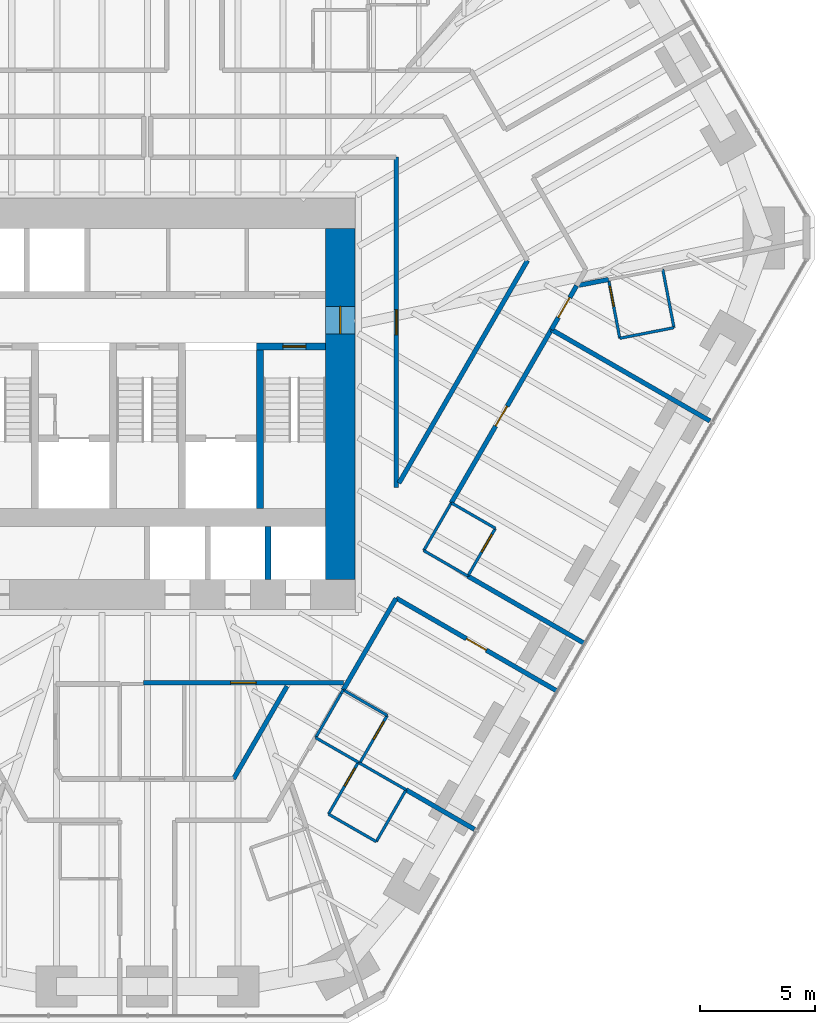
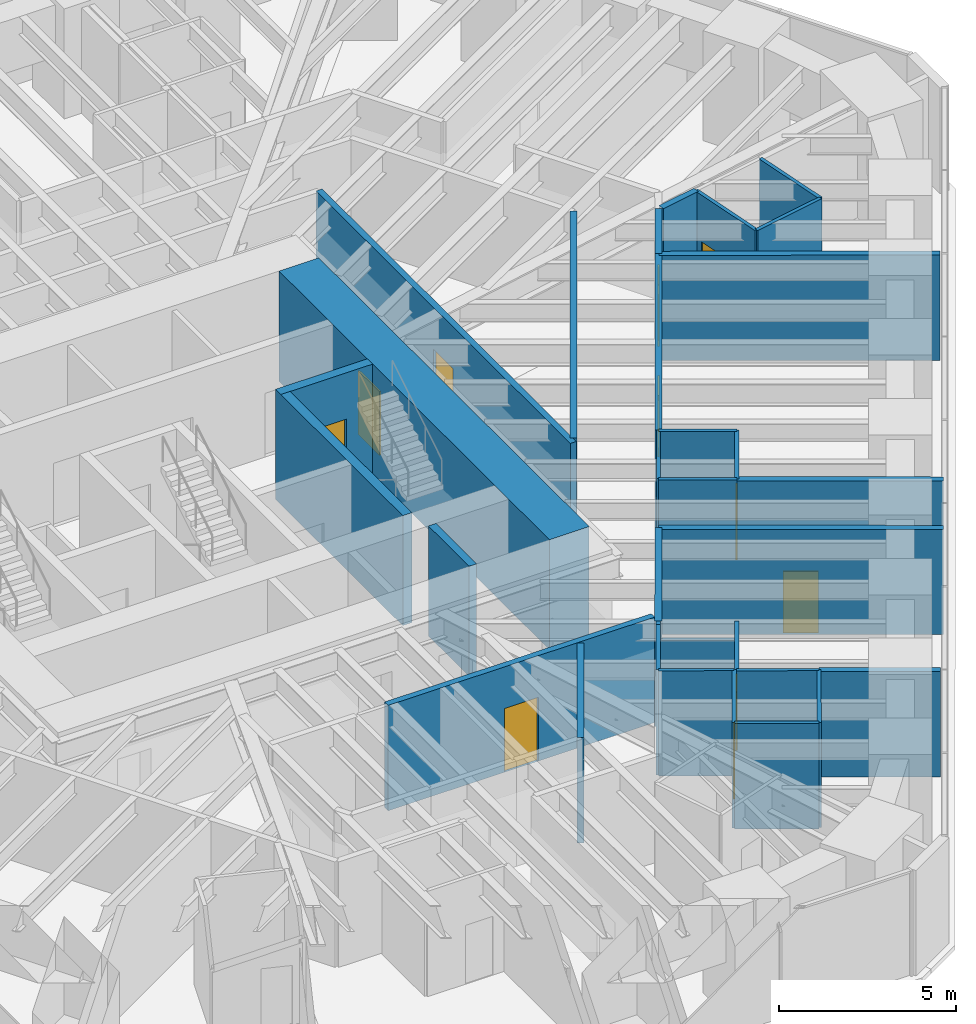
# One storey, part 13 of 16: 32 walls, 11 doors, 11 openings.
"""IFC4 building model written with IfcOpenShell, lengths in metres."""

import ifcopenshell
import ifcopenshell.guid

model = None  # the IFC model being written
_history = None  # IfcOwnerHistory: only IFC2X3 demands one
_inside = {}  # id of a spatial element -> (the spatial element, [elements in it])
_under = {}  # id of a project, library or spatial element -> (it, [spatial elements below it])
_declared = {}  # id of a project -> (the project, [libraries it declares])
_typed = {}  # id of a type object -> (the type object, [elements of that type])
_made_of = {}  # id of a material, layer set ... -> (it, [elements and type objects made of it])


def new_model(schema):
    """Start an empty IFC model of exactly this schema.

    Asked for "IFC4X3", IfcOpenShell would pick the latest addendum, in which some entities
    have other attributes; the version numbers below select the first issue.
    IFC2X3 requires an IfcOwnerHistory on every rooted entity: one is made here for all.
    """
    global model, _history
    if schema == "IFC4X3":
        model = ifcopenshell.file(schema_version=(4, 3, 0, 0))
    else:
        model = ifcopenshell.file(schema=schema)
    _inside.clear()
    _under.clear()
    _declared.clear()
    _typed.clear()
    _made_of.clear()
    _history = None
    if model.schema == "IFC2X3":
        org = make("IfcOrganization", Name="unknown")
        user = make(
            "IfcPersonAndOrganization",
            ThePerson=make("IfcPerson", FamilyName="unknown"),
            TheOrganization=org,
        )
        app = make(
            "IfcApplication",
            ApplicationDeveloper=org,
            Version="unknown",
            ApplicationFullName="unknown",
            ApplicationIdentifier="unknown",
        )
        _history = make(
            "IfcOwnerHistory",
            OwningUser=user,
            OwningApplication=app,
            ChangeAction="ADDED",
            CreationDate=0,
        )
    return model


def make(cls, **values):
    """One entity of the class cls with the attributes given. An attribute that is None is left unset."""
    return model.create_entity(
        cls, **{name: value for name, value in values.items() if value is not None}
    )


def rooted(cls, **values):
    """An entity with a GlobalId (a new one), such as an element, a storey or a relation."""
    return make(cls, GlobalId=ifcopenshell.guid.new(), OwnerHistory=_history, **values)


def si_unit(unit_type, name, prefix=None):
    """IfcSIUnit, for example si_unit("LENGTHUNIT", "METRE", prefix="MILLI")."""
    return make("IfcSIUnit", UnitType=unit_type, Prefix=prefix, Name=name)


def assignment(units):
    """IfcUnitAssignment: the units of a project."""
    return None if units is None else make("IfcUnitAssignment", Units=units)


def point(xyz):
    """IfcCartesianPoint."""
    return None if xyz is None else make("IfcCartesianPoint", Coordinates=xyz)


def direction(xyz):
    """IfcDirection."""
    return None if xyz is None else make("IfcDirection", DirectionRatios=xyz)


def frame(location, z_axis=None, x_axis=None):
    """IfcAxis2Placement3D, a coordinate frame: its origin and axes. An axis left out is left unset."""
    return make(
        "IfcAxis2Placement3D",
        Location=point(location),
        Axis=direction(z_axis),
        RefDirection=direction(x_axis),
    )


def frame_2d(location, x_axis=None):
    """IfcAxis2Placement2D, a coordinate frame in the plane: its origin and x axis."""
    return make(
        "IfcAxis2Placement2D", Location=point(location), RefDirection=direction(x_axis)
    )


def origin():
    """The frame at (0, 0, 0) with its axes left unset."""
    return frame((0.0, 0.0, 0.0))


def place(relative_to, where):
    """IfcLocalPlacement: puts the frame where relative to a parent placement (None: the world)."""
    return make(
        "IfcLocalPlacement", PlacementRelTo=relative_to, RelativePlacement=where
    )


def context(
    kind, dimensions, precision=None, world=None, true_north=None, identifier=None
):
    """IfcGeometricRepresentationContext, for example the 3D "Model" context."""
    return make(
        "IfcGeometricRepresentationContext",
        ContextIdentifier=identifier,
        ContextType=kind,
        CoordinateSpaceDimension=dimensions,
        Precision=precision,
        WorldCoordinateSystem=world,
        TrueNorth=true_north,
    )


def subcontext(parent, identifier, kind, view, scale=None):
    """IfcGeometricRepresentationSubContext, for example "Body" below "Model"."""
    return make(
        "IfcGeometricRepresentationSubContext",
        ContextIdentifier=identifier,
        ContextType=kind,
        ParentContext=parent,
        TargetScale=scale,
        TargetView=view,
    )


def project(units=None, contexts=None):
    """IfcProject with its units and contexts."""
    return rooted(
        "IfcProject",
        Name="project",
        RepresentationContexts=contexts,
        UnitsInContext=assignment(units),
    )


def spatial(cls, under=None, at=None, **own):
    """A site, building, storey or space (cls), placed at a placement, below another one or the project."""
    s = rooted(cls, ObjectPlacement=at, **own)
    if under is not None:
        _under.setdefault(under.id(), (under, []))[1].append(s)
    return s


def profile(cls, at=None, kind="AREA", **sizes):
    """A parametric profile (cls). Its sizes go by their IFC names, for example OverallWidth=200.0."""
    return make(cls, ProfileType=kind, Position=at, **sizes)


def rectangle(**sizes):
    """IfcRectangleProfileDef."""
    return profile("IfcRectangleProfileDef", **sizes)


def extrude(swept, where, along, depth):
    """IfcExtrudedAreaSolid: the profile swept, set in the frame where, extruded along a direction by depth."""
    return make(
        "IfcExtrudedAreaSolid",
        SweptArea=swept,
        Position=where,
        ExtrudedDirection=direction(along),
        Depth=depth,
    )


def shape(context_of_items, identifier, shape_type, items):
    """IfcShapeRepresentation: the items that make up one representation, for example the "Body"."""
    return make(
        "IfcShapeRepresentation",
        ContextOfItems=context_of_items,
        RepresentationIdentifier=identifier,
        RepresentationType=shape_type,
        Items=items,
    )


def material(Name=None, Category=None):
    """IfcMaterial."""
    return make("IfcMaterial", Name=Name, Category=Category)


def layer(
    of_material, thickness, ventilated=None, Name=None, Category=None, Priority=None
):
    """IfcMaterialLayer: one layer of a wall or slab, of a material (None: an air gap)."""
    return make(
        "IfcMaterialLayer",
        Material=of_material,
        LayerThickness=thickness,
        IsVentilated=ventilated,
        Name=Name,
        Category=Category,
        Priority=Priority,
    )


def layer_set(layers, Name=None):
    """IfcMaterialLayerSet."""
    return make("IfcMaterialLayerSet", MaterialLayers=layers, LayerSetName=Name)


def made_of(thing, what):
    """Note that an element or type object is made of a material, layer set ...; save() writes the relation."""
    if what is not None:
        _made_of.setdefault(what.id(), (what, []))[1].append(thing)
    return thing


def type_object(cls, material=None, **own):
    """A type object (cls), such as IfcWallType, which elements share."""
    return made_of(rooted(cls, **own), material)


def element(
    cls,
    number,
    at=None,
    inside=None,
    cuts=None,
    type_object=None,
    material=None,
    context=None,
    identifier="Body",
    shape_type=None,
    held_by="IfcProductDefinitionShape",
    body=None,
    shapes=None,
    **own,
):
    """One element of the class cls, such as IfcWall. Its Tag is "e" and its number.

    at: its placement. inside: the storey or other place that contains it. cuts: it is an
    opening in that element (IfcRelVoidsElement). A single representation is given by context,
    identifier, shape_type and body (its items); several are given by shapes. held_by: the class
    of the entity that holds the representations. save() writes the other relations.
    """
    e = rooted(cls, Tag="e%d" % number, ObjectPlacement=at, **own)
    if body is not None:
        shapes = [shape(context, identifier, shape_type, body)]
    if shapes is not None:
        e.Representation = make(held_by, Representations=shapes)
    if inside is not None:
        _inside.setdefault(inside.id(), (inside, []))[1].append(e)
    if cuts is not None:
        rooted(
            "IfcRelVoidsElement", RelatingBuildingElement=cuts, RelatedOpeningElement=e
        )
    if type_object is not None:
        _typed.setdefault(type_object.id(), (type_object, []))[1].append(e)
    return made_of(e, material)


def fill(opening, filler):
    """IfcRelFillsElement: the door or window that sits in an opening."""
    return rooted(
        "IfcRelFillsElement",
        RelatingOpeningElement=opening,
        RelatedBuildingElement=filler,
    )


def aggregate(whole, parts):
    """IfcRelAggregates: a whole, such as a stair, and the parts it consists of."""
    return rooted("IfcRelAggregates", RelatingObject=whole, RelatedObjects=parts)


def save(model, path):
    """Write the relations noted so far, then the file.

    IfcRelAggregates (storeys below a building ...), IfcRelContainedInSpatialStructure (elements
    in a storey), IfcRelDefinesByType, IfcRelAssociatesMaterial and IfcRelDeclares: one each for
    every whole, place, type object, material and project.
    """
    for whole, parts in _under.values():
        aggregate(whole, parts)
    for where, things in _inside.values():
        rooted(
            "IfcRelContainedInSpatialStructure",
            RelatedElements=things,
            RelatingStructure=where,
        )
    for kind, things in _typed.values():
        rooted("IfcRelDefinesByType", RelatedObjects=things, RelatingType=kind)
    for what, things in _made_of.values():
        rooted("IfcRelAssociatesMaterial", RelatedObjects=things, RelatingMaterial=what)
    for by, libraries in _declared.values():
        rooted("IfcRelDeclares", RelatingContext=by, RelatedDefinitions=libraries)
    model.write(path)


model = new_model("IFC4")

# Units and contexts
model_context = context("Model", 3, precision=1e-05, world=origin(), true_north=direction((0.0, 1.0)))
body_context = subcontext(model_context, "Body", "Model", "MODEL_VIEW")
ifc_project = project(units=[si_unit("LENGTHUNIT", "METRE"), si_unit("AREAUNIT", "SQUARE_METRE"), si_unit("VOLUMEUNIT", "CUBIC_METRE"), si_unit("PLANEANGLEUNIT", "RADIAN"), si_unit("MASSUNIT", "GRAM", prefix="KILO")], contexts=[model_context])

# Site, building, storey
site_placement = place(None, origin())
site = spatial("IfcSite", under=ifc_project, at=site_placement, CompositionType="ELEMENT")
building_placement = place(site_placement, origin())
building = spatial("IfcBuilding", under=site, at=building_placement, Name="Sandreach Pilgrim Tower", CompositionType="ELEMENT")
storey_placement = place(building_placement, frame((0.0, 0.0, 134.800048828125)))
storey = spatial("IfcBuildingStorey", under=building, at=storey_placement, Name="L33", CompositionType="ELEMENT", Elevation=134.800048828125)

# Walls
ifc_material_1 = material(Name="Moisture-resistant gypsum board on steel studs", Category="steel")
ifc_layer_1 = layer(ifc_material_1, 0.1201171875)
ifc_layer_set_1 = layer_set([ifc_layer_1], Name="Bathroom partition 120")
wall_type_1 = type_object("IfcWallType", Name="Bathroom partition 120", PredefinedType="PARTITIONING", material=ifc_layer_set_1)
wall_1_placement = place(storey_placement, frame((7.330078125, -16.090087890625, 0.0), z_axis=(0.0, 0.0, 1.0), x_axis=(0.498475244549, 0.866903933877, 0.0)))
element("IfcWall", 1, at=wall_1_placement, inside=storey, type_object=wall_type_1, Name="Bathroom partition L33-088", PredefinedType="PARTITIONING", context=body_context, shape_type="SweptSolid", body=[
    extrude(rectangle(XDim=2.2265625, YDim=0.1201171875, at=frame_2d((1.11328125, 0.0))), origin(), (0.0, 0.0, 1.0), 3.639892578125),
])
wall_2_placement = place(storey_placement, frame((7.330078125, -16.090087890625, 0.0), z_axis=(0.0, 0.0, 1.0), x_axis=(0.866825160608, -0.498612214989, 0.0)))
element("IfcWall", 2, at=wall_2_placement, inside=storey, type_object=wall_type_1, Name="Bathroom partition L33-089", PredefinedType="PARTITIONING", context=body_context, shape_type="SweptSolid", body=[
    extrude(rectangle(XDim=2.1455078125, YDim=0.1201171875, at=frame_2d((1.07275390625, 0.0))), origin(), (0.0, 0.0, 1.0), 3.639892578125),
])
wall_3_placement = place(storey_placement, frame((7.889892578125, -19.419921875, 0.0), z_axis=(0.0, 0.0, 1.0), x_axis=(0.866202511239, -0.499693115345, 0.0)))
element("IfcWall", 3, at=wall_3_placement, inside=storey, type_object=wall_type_1, Name="Bathroom partition L33-091", PredefinedType="PARTITIONING", context=body_context, shape_type="SweptSolid", body=[
    extrude(rectangle(XDim=2.4013671875, YDim=0.1201171875, at=frame_2d((1.20068359375, 0.0))), origin(), (0.0, 0.0, 1.0), 3.639892578125),
])
wall_4_placement = place(storey_placement, frame((8.43994140625, -14.159912109375, 0.0), z_axis=(0.0, 0.0, 1.0), x_axis=(0.515111490125, 0.857123184111, 0.0)))
element("IfcWall", 4, at=wall_4_placement, inside=storey, type_object=wall_type_1, Name="Bathroom partition L33-092", PredefinedType="PARTITIONING", context=body_context, shape_type="SweptSolid", body=[
    extrude(rectangle(XDim=0.1748046875, YDim=0.1201171875, at=frame_2d((0.08740234375, 0.0))), origin(), (0.0, 0.0, 1.0), 3.639892578125),
])

# Wall, opening, door
wall_5_placement = place(storey_placement, frame((9.18994140625, -17.159912109375, 0.0), z_axis=(0.0, 0.0, 1.0), x_axis=(-0.498627694264, -0.866816256489, 0.0)))
wall_5 = element("IfcWall", 5, at=wall_5_placement, inside=storey, type_object=wall_type_1, Name="Bathroom partition L33-095", PredefinedType="PARTITIONING", context=body_context, shape_type="SweptSolid", body=[
    extrude(rectangle(XDim=2.607177734375, YDim=0.1201171875, at=frame_2d((1.3037109375, 0.0))), origin(), (0.0, 0.0, 1.0), 3.639892578125),
])
opening_1_placement = place(wall_5_placement, frame((0.300048828125, 0.0, 0.0)))
opening_1 = element("IfcOpeningElement", 6, at=opening_1_placement, cuts=wall_5, Name="Opening D09-09B", PredefinedType="OPENING", context=body_context, shape_type="SweptSolid", body=[
    extrude(rectangle(XDim=0.89990234375, YDim=2.030029296875, at=frame_2d((0.449951171875, 1.01513671875))), frame((0.0, 0.06005859375, 0.0), z_axis=(0.0, -1.0, 0.0), x_axis=(1.0, 0.0, 0.0)), (0.0, 0.0, 1.0), 0.1201171875),
])
ifc_material_2 = material(Name="Timber door, steel frame", Category="steel")
door_type_1 = type_object("IfcDoorType", Name="Bathroom door", OperationType="SINGLE_SWING_LEFT", PredefinedType="DOOR", material=ifc_material_2)
door_1_placement = place(opening_1_placement, origin())
door_1 = element("IfcDoor", 7, at=door_1_placement, inside=storey, type_object=door_type_1, Name="Door 3309B", OperationType="SINGLE_SWING_LEFT", OverallHeight=2.030029296875, OverallWidth=0.89990234375, PredefinedType="DOOR", context=body_context, shape_type="SweptSolid", body=[
    extrude(rectangle(XDim=0.89990234375, YDim=2.030029296875, at=frame_2d((0.449951171875, 1.01513671875))), frame((0.0, 0.02490234375, 0.0), z_axis=(0.0, -1.0, 0.0), x_axis=(1.0, 0.0, 0.0)), (0.0, 0.0, 1.0), 0.050048828125),
])
fill(opening_1, door_1)

wall_6_placement = place(storey_placement, frame((9.25, -17.199951171875, 0.0), z_axis=(0.0, 0.0, 1.0), x_axis=(0.499737123639, 0.866177122335, 0.0)))
wall_6 = element("IfcWall", 8, at=wall_6_placement, inside=storey, type_object=wall_type_1, Name="Bathroom partition L33-096", PredefinedType="PARTITIONING", context=body_context, shape_type="SweptSolid", body=[
    extrude(rectangle(XDim=2.401123046875, YDim=0.1201171875, at=frame_2d((1.20068359375, 0.0))), origin(), (0.0, 0.0, 1.0), 3.639892578125),
])
opening_2_placement = place(wall_6_placement, frame((1.201416015625, 0.0, 0.0)))
opening_2 = element("IfcOpeningElement", 9, at=opening_2_placement, cuts=wall_6, Name="Opening D09-08B", PredefinedType="OPENING", context=body_context, shape_type="SweptSolid", body=[
    extrude(rectangle(XDim=0.89990234375, YDim=2.030029296875, at=frame_2d((0.449951171875, 1.01513671875))), frame((0.0, 0.06005859375, 0.0), z_axis=(0.0, -1.0, 0.0), x_axis=(1.0, 0.0, 0.0)), (0.0, 0.0, 1.0), 0.1201171875),
])
door_2_placement = place(opening_2_placement, origin())
door_2 = element("IfcDoor", 10, at=door_2_placement, inside=storey, type_object=door_type_1, Name="Door 3308B", OperationType="SINGLE_SWING_RIGHT", OverallHeight=2.030029296875, OverallWidth=0.89990234375, PredefinedType="DOOR", context=body_context, shape_type="SweptSolid", body=[
    extrude(rectangle(XDim=0.89990234375, YDim=2.030029296875, at=frame_2d((0.449951171875, 1.01513671875))), frame((0.0, 0.02490234375, 0.0), z_axis=(0.0, -1.0, 0.0), x_axis=(1.0, 0.0, 0.0)), (0.0, 0.0, 1.0), 0.050048828125),
])
fill(opening_2, door_2)

# Walls
wall_7_placement = place(storey_placement, frame((9.25, -17.199951171875, 0.0), z_axis=(0.0, 0.0, 1.0), x_axis=(0.867157547908, -0.498033921641, 0.0)))
element("IfcWall", 11, at=wall_7_placement, inside=storey, type_object=wall_type_1, Name="Bathroom partition L33-097", PredefinedType="PARTITIONING", context=body_context, shape_type="SweptSolid", body=[
    extrude(rectangle(XDim=2.32958984375, YDim=0.1201171875, at=frame_2d((1.164794921875, 0.0))), origin(), (0.0, 0.0, 1.0), 3.639892578125),
])
wall_8_placement = place(storey_placement, frame((9.969970703125, -20.6201171875, 0.0), z_axis=(0.0, 0.0, 1.0), x_axis=(0.498627694264, 0.866816256489, 0.0)))
element("IfcWall", 12, at=wall_8_placement, inside=storey, type_object=wall_type_1, Name="Bathroom partition L33-105", PredefinedType="PARTITIONING", context=body_context, shape_type="SweptSolid", body=[
    extrude(rectangle(XDim=2.607177734375, YDim=0.1201171875, at=frame_2d((1.3037109375, 0.0))), origin(), (0.0, 0.0, 1.0), 3.639892578125),
])
wall_9_placement = place(storey_placement, frame((10.449951171875, -15.1201171875, 0.0), z_axis=(0.0, 0.0, 1.0), x_axis=(-0.865705017107, 0.500554515868, 0.0)))
element("IfcWall", 13, at=wall_9_placement, inside=storey, type_object=wall_type_1, Name="Bathroom partition L33-106", PredefinedType="PARTITIONING", context=body_context, shape_type="SweptSolid", body=[
    extrude(rectangle(XDim=2.2177734375, YDim=0.1201171875, at=frame_2d((1.10888671875, 0.0))), origin(), (0.0, 0.0, 1.0), 3.022705078125),
])
wall_10_placement = place(storey_placement, frame((12.0400390625, -7.93994140625, 0.0), z_axis=(0.0, 0.0, 1.0), x_axis=(0.499737123639, 0.866177122335, 0.0)))
element("IfcWall", 14, at=wall_10_placement, inside=storey, type_object=wall_type_1, Name="Bathroom partition L33-112", PredefinedType="PARTITIONING", context=body_context, shape_type="SweptSolid", body=[
    extrude(rectangle(XDim=2.401123046875, YDim=0.1201171875, at=frame_2d((1.20068359375, 0.0))), origin(), (0.0, 0.0, 1.0), 3.639892578125),
])
wall_11_placement = place(storey_placement, frame((12.0400390625, -7.93994140625, 0.0), z_axis=(0.0, 0.0, 1.0), x_axis=(0.865705017107, -0.500554515868, 0.0)))
element("IfcWall", 15, at=wall_11_placement, inside=storey, type_object=wall_type_1, Name="Bathroom partition L33-113", PredefinedType="PARTITIONING", context=body_context, shape_type="SweptSolid", body=[
    extrude(rectangle(XDim=2.2177734375, YDim=0.1201171875, at=frame_2d((1.10888671875, 0.0))), origin(), (0.0, 0.0, 1.0), 3.639892578125),
])

# Wall, opening, door
wall_12_placement = place(storey_placement, frame((13.9599609375, -9.050048828125, 0.0), z_axis=(0.0, 0.0, 1.0), x_axis=(0.499693115345, 0.866202511239, 0.0)))
wall_12 = element("IfcWall", 16, at=wall_12_placement, inside=storey, type_object=wall_type_1, Name="Bathroom partition L33-118", PredefinedType="PARTITIONING", context=body_context, shape_type="SweptSolid", body=[
    extrude(rectangle(XDim=2.4013671875, YDim=0.1201171875, at=frame_2d((1.20068359375, 0.0))), origin(), (0.0, 0.0, 1.0), 3.639892578125),
])
opening_3_placement = place(wall_12_placement, frame((1.201416015625, 0.0, 0.0)))
opening_3 = element("IfcOpeningElement", 17, at=opening_3_placement, cuts=wall_12, Name="Opening D09-07B", PredefinedType="OPENING", context=body_context, shape_type="SweptSolid", body=[
    extrude(rectangle(XDim=0.89990234375, YDim=2.030029296875, at=frame_2d((0.449951171875, 1.01513671875))), frame((0.0, 0.06005859375, 0.0), z_axis=(0.0, -1.0, 0.0), x_axis=(1.0, 0.0, 0.0)), (0.0, 0.0, 1.0), 0.1201171875),
])
door_3_placement = place(opening_3_placement, origin())
door_3 = element("IfcDoor", 18, at=door_3_placement, inside=storey, type_object=door_type_1, Name="Door 3307B", OperationType="SINGLE_SWING_RIGHT", OverallHeight=2.030029296875, OverallWidth=0.89990234375, PredefinedType="DOOR", context=body_context, shape_type="SweptSolid", body=[
    extrude(rectangle(XDim=0.89990234375, YDim=2.030029296875, at=frame_2d((0.449951171875, 1.01513671875))), frame((0.0, 0.02490234375, 0.0), z_axis=(0.0, -1.0, 0.0), x_axis=(1.0, 0.0, 0.0)), (0.0, 0.0, 1.0), 0.050048828125),
])
fill(opening_3, door_3)

# Wall
wall_13_placement = place(storey_placement, frame((15.159912109375, -6.969970703125, 0.0), z_axis=(0.0, 0.0, 1.0), x_axis=(-0.865705017107, 0.500554515868, 0.0)))
element("IfcWall", 19, at=wall_13_placement, inside=storey, type_object=wall_type_1, Name="Bathroom partition L33-121", PredefinedType="PARTITIONING", context=body_context, shape_type="SweptSolid", body=[
    extrude(rectangle(XDim=2.2177734375, YDim=0.1201171875, at=frame_2d((1.10888671875, 0.0))), origin(), (0.0, 0.0, 1.0), 3.639892578125),
])

# Wall, opening, door
wall_14_placement = place(storey_placement, frame((20.090087890625, 3.8701171875, 0.0), z_axis=(0.0, 0.0, 1.0), x_axis=(0.187985762814, -0.982171753299, 0.0)))
wall_14 = element("IfcWall", 20, at=wall_14_placement, inside=storey, type_object=wall_type_1, Name="Bathroom partition L33-130", PredefinedType="PARTITIONING", context=body_context, shape_type="SweptSolid", body=[
    extrude(rectangle(XDim=2.6064453125, YDim=0.1201171875, at=frame_2d((1.30322265625, 0.0))), origin(), (0.0, 0.0, 1.0), 3.639892578125),
])
opening_4_placement = place(wall_14_placement, frame((0.300048828125, 0.0, 0.0)))
opening_4 = element("IfcOpeningElement", 21, at=opening_4_placement, cuts=wall_14, Name="Opening D09-06B", PredefinedType="OPENING", context=body_context, shape_type="SweptSolid", body=[
    extrude(rectangle(XDim=0.89990234375, YDim=2.030029296875, at=frame_2d((0.449951171875, 1.01513671875))), frame((0.0, 0.06005859375, 0.0), z_axis=(0.0, -1.0, 0.0), x_axis=(1.0, 0.0, 0.0)), (0.0, 0.0, 1.0), 0.1201171875),
])
door_4_placement = place(opening_4_placement, origin())
door_4 = element("IfcDoor", 22, at=door_4_placement, inside=storey, type_object=door_type_1, Name="Door 3306B", OperationType="SINGLE_SWING_LEFT", OverallHeight=2.030029296875, OverallWidth=0.89990234375, PredefinedType="DOOR", context=body_context, shape_type="SweptSolid", body=[
    extrude(rectangle(XDim=0.89990234375, YDim=2.030029296875, at=frame_2d((0.449951171875, 1.01513671875))), frame((0.0, 0.02490234375, 0.0), z_axis=(0.0, -1.0, 0.0), x_axis=(1.0, 0.0, 0.0)), (0.0, 0.0, 1.0), 0.050048828125),
])
fill(opening_4, door_4)

# Walls
wall_15_placement = place(storey_placement, frame((20.580078125, 1.31005859375, 0.0), z_axis=(0.0, 0.0, 1.0), x_axis=(0.981529676402, 0.191309943135, 0.0)))
element("IfcWall", 23, at=wall_15_placement, inside=storey, type_object=wall_type_1, Name="Bathroom partition L33-132", PredefinedType="PARTITIONING", context=body_context, shape_type="SweptSolid", body=[
    extrude(rectangle(XDim=2.404296875, YDim=0.1201171875, at=frame_2d((1.2021484375, 0.0))), origin(), (0.0, 0.0, 1.0), 3.639892578125),
])
wall_16_placement = place(storey_placement, frame((22.93994140625, 1.77001953125, 0.0), z_axis=(0.0, 0.0, 1.0), x_axis=(-0.188697442844, 0.982035271802, 0.0)))
element("IfcWall", 24, at=wall_16_placement, inside=storey, type_object=wall_type_1, Name="Bathroom partition L33-134", PredefinedType="PARTITIONING", context=body_context, shape_type="SweptSolid", body=[
    extrude(rectangle(XDim=2.5966796875, YDim=0.1201171875, at=frame_2d((1.29833984375, 0.0))), origin(), (0.0, 0.0, 1.0), 3.639892578125),
])
ifc_material_3 = material(Name="Concrete 10000 psi", Category="concrete")
ifc_layer_2 = layer(ifc_material_3, 0.300048828125)
ifc_layer_set_2 = layer_set([ifc_layer_2], Name="Core inner wall 300")
wall_type_2 = type_object("IfcWallType", Name="Core inner wall 300", PredefinedType="SHEAR", material=ifc_layer_set_2)
wall_17_placement = place(storey_placement, frame((4.89990234375, -6.10009765625, 0.0), z_axis=(0.0, 0.0, 1.0), x_axis=(0.0, 1.0, 0.0)))
element("IfcWall", 25, at=wall_17_placement, inside=storey, type_object=wall_type_2, Name="Core wall I3 L33", PredefinedType="SHEAR", context=body_context, shape_type="SweptSolid", body=[
    extrude(rectangle(XDim=7.2001953125, YDim=0.300048828125, at=frame_2d((3.60009765625, 0.0))), origin(), (0.0, 0.0, 1.0), 3.800048828125),
])

# Wall, opening, door
wall_18_placement = place(storey_placement, frame((4.75, 0.949951171875, 0.0), z_axis=(0.0, 0.0, 1.0), x_axis=(1.0, 0.0, 0.0)))
wall_18 = element("IfcWall", 26, at=wall_18_placement, inside=storey, type_object=wall_type_2, Name="Core wall SN2 L33", PredefinedType="SHEAR", context=body_context, shape_type="SweptSolid", body=[
    extrude(rectangle(XDim=3.0, YDim=0.300048828125, at=frame_2d((1.5, 0.0))), origin(), (0.0, 0.0, 1.0), 3.800048828125),
])
opening_5_placement = place(wall_18_placement, frame((1.14990234375, 0.0, 0.0)))
opening_5 = element("IfcOpeningElement", 27, at=opening_5_placement, cuts=wall_18, Name="Opening D10S-ST2", PredefinedType="OPENING", context=body_context, shape_type="SweptSolid", body=[
    extrude(rectangle(XDim=1.0, YDim=2.199951171875, at=frame_2d((0.5, 1.10009765625))), frame((0.0, 0.14990234375, 0.0), z_axis=(0.0, -1.0, 0.0), x_axis=(1.0, 0.0, 0.0)), (0.0, 0.0, 1.0), 0.300048828125),
])
ifc_material_4 = material(Name="Steel door and frame", Category="steel")
door_type_2 = type_object("IfcDoorType", Name="Stair door", OperationType="SINGLE_SWING_LEFT", PredefinedType="DOOR", material=ifc_material_4)
door_5_placement = place(opening_5_placement, origin())
door_5 = element("IfcDoor", 28, at=door_5_placement, inside=storey, type_object=door_type_2, Name="Stair door ST2 L33", OperationType="SINGLE_SWING_RIGHT", OverallHeight=2.199951171875, OverallWidth=1.0, PredefinedType="DOOR", context=body_context, shape_type="SweptSolid", body=[
    extrude(rectangle(XDim=1.0, YDim=2.199951171875, at=frame_2d((0.5, 1.10009765625))), frame((0.0, 0.02490234375, 0.0), z_axis=(0.0, -1.0, 0.0), x_axis=(1.0, 0.0, 0.0)), (0.0, 0.0, 1.0), 0.050048828125),
])
fill(opening_5, door_5)

ifc_material_5 = material(Name="Concrete 10000 psi", Category="concrete")
ifc_layer_3 = layer(ifc_material_5, 1.300048828125)
ifc_layer_set_3 = layer_set([ifc_layer_3], Name="Core wall 1300")
wall_type_3 = type_object("IfcWallType", Name="Core wall 1300", PredefinedType="SHEAR", material=ifc_layer_set_3)
wall_19_placement = place(storey_placement, frame((8.39990234375, -9.199951171875, 0.0), z_axis=(0.0, 0.0, 1.0), x_axis=(0.0, 1.0, 0.0)))
wall_19 = element("IfcWall", 29, at=wall_19_placement, inside=storey, type_object=wall_type_3, Name="Core wall E L33", PredefinedType="SHEAR", context=body_context, shape_type="SweptSolid", body=[
    extrude(rectangle(XDim=15.300048828125, YDim=1.300048828125, at=frame_2d((7.64990234375, 0.0))), origin(), (0.0, 0.0, 1.0), 3.800048828125),
])
opening_6_placement = place(wall_19_placement, frame((10.699951171875, 0.0, 0.0)))
opening_6 = element("IfcOpeningElement", 30, at=opening_6_placement, cuts=wall_19, Name="Opening D12F-E", PredefinedType="OPENING", context=body_context, shape_type="SweptSolid", body=[
    extrude(rectangle(XDim=1.199951171875, YDim=2.199951171875, at=frame_2d((0.60009765625, 1.10009765625))), frame((0.0, 0.64990234375, 0.0), z_axis=(0.0, -1.0, 0.0), x_axis=(1.0, 0.0, 0.0)), (0.0, 0.0, 1.0), 1.300048828125),
])
ifc_material_6 = material(Name="Steel door and frame", Category="steel")
door_type_3 = type_object("IfcDoorType", Name="Fire lobby door", OperationType="SINGLE_SWING_LEFT", PredefinedType="DOOR", material=ifc_material_6)
door_6_placement = place(opening_6_placement, origin())
door_6 = element("IfcDoor", 31, at=door_6_placement, inside=storey, type_object=door_type_3, Name="Fire service lobby door E L33", OperationType="SINGLE_SWING_RIGHT", OverallHeight=2.199951171875, OverallWidth=1.199951171875, PredefinedType="DOOR", context=body_context, shape_type="SweptSolid", body=[
    extrude(rectangle(XDim=1.199951171875, YDim=2.199951171875, at=frame_2d((0.60009765625, 1.10009765625))), frame((0.0, 0.02490234375, 0.0), z_axis=(0.0, -1.0, 0.0), x_axis=(1.0, 0.0, 0.0)), (0.0, 0.0, 1.0), 0.050048828125),
])
fill(opening_6, door_6)

# Walls
ifc_material_7 = material(Name="Gypsum board on steel studs, two layers each side", Category="steel")
ifc_layer_4 = layer(ifc_material_7, 0.199951171875)
ifc_layer_set_4 = layer_set([ifc_layer_4], Name="Corridor wall 200")
wall_type_4 = type_object("IfcWallType", Name="Corridor wall 200", PredefinedType="PARTITIONING", material=ifc_layer_set_4)
wall_20_placement = place(storey_placement, frame((6.08251953125, -13.849609375, 0.0), z_axis=(0.0, 0.0, 1.0), x_axis=(-0.499977643516, -0.866038310922, 0.0)))
element("IfcWall", 32, at=wall_20_placement, inside=storey, type_object=wall_type_4, Name="Corridor wall L33-081", PredefinedType="PARTITIONING", context=body_context, shape_type="SweptSolid", body=[
    extrude(rectangle(XDim=4.665283203125, YDim=0.199951171875, at=frame_2d((2.33251953125, 0.0))), origin(), (0.0, 0.0, 1.0), 3.639892578125),
])
wall_21_placement = place(storey_placement, frame((8.530029296875, -14.010009765625, 0.0), z_axis=(0.0, 0.0, 1.0), x_axis=(0.500091179446, 0.865972754907, 0.0)))
element("IfcWall", 33, at=wall_21_placement, inside=storey, type_object=wall_type_4, Name="Corridor wall L33-093", PredefinedType="PARTITIONING", context=body_context, shape_type="SweptSolid", body=[
    extrude(rectangle(XDim=4.604248046875, YDim=0.199951171875, at=frame_2d((2.30224609375, 0.0))), origin(), (0.0, 0.0, 1.0), 3.639892578125),
])

# Wall, opening, door
wall_22_placement = place(storey_placement, frame((8.53369140625, -13.699951171875, 0.0), z_axis=(0.0, 0.0, 1.0), x_axis=(-1.0, 0.0, 0.0)))
wall_22 = element("IfcWall", 34, at=wall_22_placement, inside=storey, type_object=wall_type_4, Name="Corridor wall L33-094", PredefinedType="PARTITIONING", context=body_context, shape_type="SweptSolid", body=[
    extrude(rectangle(XDim=8.70361328125, YDim=0.199951171875, at=frame_2d((4.351806640625, 0.0))), origin(), (0.0, 0.0, 1.0), 3.639892578125),
])
opening_7_placement = place(wall_22_placement, frame((3.8017578125, 0.0, 0.0)))
opening_7 = element("IfcOpeningElement", 35, at=opening_7_placement, cuts=wall_22, Name="Opening D11H-S4", PredefinedType="OPENING", context=body_context, shape_type="SweptSolid", body=[
    extrude(rectangle(XDim=1.10009765625, YDim=2.199951171875, at=frame_2d((0.550048828125, 1.10009765625))), frame((0.0, 0.10009765625, 0.0), z_axis=(0.0, -1.0, 0.0), x_axis=(1.0, 0.0, 0.0)), (0.0, 0.0, 1.0), 0.199951171875),
])
ifc_material_8 = material(Name="Steel door and frame", Category="steel")
door_type_4 = type_object("IfcDoorType", Name="Back of house door", OperationType="SINGLE_SWING_LEFT", PredefinedType="DOOR", material=ifc_material_8)
door_7_placement = place(opening_7_placement, origin())
door_7 = element("IfcDoor", 36, at=door_7_placement, inside=storey, type_object=door_type_4, Name="Door 33S4", OperationType="SINGLE_SWING_LEFT", OverallHeight=2.199951171875, OverallWidth=1.10009765625, PredefinedType="DOOR", context=body_context, shape_type="SweptSolid", body=[
    extrude(rectangle(XDim=1.10009765625, YDim=2.199951171875, at=frame_2d((0.550048828125, 1.10009765625))), frame((0.0, 0.02490234375, 0.0), z_axis=(0.0, -1.0, 0.0), x_axis=(1.0, 0.0, 0.0)), (0.0, 0.0, 1.0), 0.050048828125),
])
fill(opening_7, door_7)

wall_23_placement = place(storey_placement, frame((10.840087890625, -10.010009765625, 0.0), z_axis=(0.0, 0.0, 1.0), x_axis=(0.86587701925, -0.500256921525, 0.0)))
wall_23 = element("IfcWall", 37, at=wall_23_placement, inside=storey, type_object=wall_type_4, Name="Corridor wall L33-107", PredefinedType="PARTITIONING", context=body_context, shape_type="SweptSolid", body=[
    extrude(rectangle(XDim=8.065673828125, YDim=0.199951171875, at=frame_2d((4.03271484375, 0.0))), origin(), (0.0, 0.0, 1.0), 3.639892578125),
])
opening_8_placement = place(wall_23_placement, frame((3.532958984375, 0.0, 0.0)))
opening_8 = element("IfcOpeningElement", 38, at=opening_8_placement, cuts=wall_23, Name="Opening D10-08", PredefinedType="OPENING", context=body_context, shape_type="SweptSolid", body=[
    extrude(rectangle(XDim=1.0, YDim=2.1298828125, at=frame_2d((0.5, 1.06494140625))), frame((0.0, 0.10009765625, 0.0), z_axis=(0.0, -1.0, 0.0), x_axis=(1.0, 0.0, 0.0)), (0.0, 0.0, 1.0), 0.199951171875),
])
ifc_material_9 = material(Name="Steel door and frame", Category="steel")
door_type_5 = type_object("IfcDoorType", Name="Guest room entry door", OperationType="SINGLE_SWING_LEFT", PredefinedType="DOOR", material=ifc_material_9)
door_8_placement = place(opening_8_placement, origin())
door_8 = element("IfcDoor", 39, at=door_8_placement, inside=storey, type_object=door_type_5, Name="Door 3308", OperationType="SINGLE_SWING_LEFT", OverallHeight=2.1298828125, OverallWidth=1.0, PredefinedType="DOOR", context=body_context, shape_type="SweptSolid", body=[
    extrude(rectangle(XDim=1.0, YDim=2.1298828125, at=frame_2d((0.5, 1.06494140625))), frame((0.0, 0.02490234375, 0.0), z_axis=(0.0, -1.0, 0.0), x_axis=(1.0, 0.0, 0.0)), (0.0, 0.0, 1.0), 0.050048828125),
])
fill(opening_8, door_8)

wall_24_placement = place(storey_placement, frame((10.85009765625, -5.18994140625, 0.0), z_axis=(0.0, 0.0, 1.0), x_axis=(0.0, 1.0, 0.0)))
wall_24 = element("IfcWall", 40, at=wall_24_placement, inside=storey, type_object=wall_type_4, Name="Corridor wall L33-109", PredefinedType="PARTITIONING", context=body_context, shape_type="SweptSolid", body=[
    extrude(rectangle(XDim=14.389892578125, YDim=0.199951171875, at=frame_2d((7.19482421875, 0.0))), origin(), (0.0, 0.0, 1.0), 3.639892578125),
])
opening_9_placement = place(wall_24_placement, frame((6.64501953125, 0.0, 0.0)))
opening_9 = element("IfcOpeningElement", 41, at=opening_9_placement, cuts=wall_24, Name="Opening D11H-M2", PredefinedType="OPENING", context=body_context, shape_type="SweptSolid", body=[
    extrude(rectangle(XDim=1.10009765625, YDim=2.199951171875, at=frame_2d((0.550048828125, 1.10009765625))), frame((0.0, 0.10009765625, 0.0), z_axis=(0.0, -1.0, 0.0), x_axis=(1.0, 0.0, 0.0)), (0.0, 0.0, 1.0), 0.199951171875),
])
door_9_placement = place(opening_9_placement, origin())
door_9 = element("IfcDoor", 42, at=door_9_placement, inside=storey, type_object=door_type_4, Name="Door 33M2", OperationType="SINGLE_SWING_LEFT", OverallHeight=2.199951171875, OverallWidth=1.10009765625, PredefinedType="DOOR", context=body_context, shape_type="SweptSolid", body=[
    extrude(rectangle(XDim=1.10009765625, YDim=2.199951171875, at=frame_2d((0.550048828125, 1.10009765625))), frame((0.0, 0.02490234375, 0.0), z_axis=(0.0, -1.0, 0.0), x_axis=(1.0, 0.0, 0.0)), (0.0, 0.0, 1.0), 0.050048828125),
])
fill(opening_9, door_9)

wall_25_placement = place(storey_placement, frame((13.239990234375, -5.860107421875, 0.0), z_axis=(0.0, 0.0, 1.0), x_axis=(0.500093306236, 0.865971526701, 0.0)))
wall_25 = element("IfcWall", 43, at=wall_25_placement, inside=storey, type_object=wall_type_4, Name="Corridor wall L33-117", PredefinedType="PARTITIONING", context=body_context, shape_type="SweptSolid", body=[
    extrude(rectangle(XDim=8.718505859375, YDim=0.199951171875, at=frame_2d((4.359375, 0.0))), origin(), (0.0, 0.0, 1.0), 3.639892578125),
])
opening_10_placement = place(wall_25_placement, frame((3.859130859375, 0.0, 0.0)))
opening_10 = element("IfcOpeningElement", 44, at=opening_10_placement, cuts=wall_25, Name="Opening D10-07", PredefinedType="OPENING", context=body_context, shape_type="SweptSolid", body=[
    extrude(rectangle(XDim=1.0, YDim=2.1298828125, at=frame_2d((0.5, 1.06494140625))), frame((0.0, 0.10009765625, 0.0), z_axis=(0.0, -1.0, 0.0), x_axis=(1.0, 0.0, 0.0)), (0.0, 0.0, 1.0), 0.199951171875),
])
door_10_placement = place(opening_10_placement, origin())
door_10 = element("IfcDoor", 45, at=door_10_placement, inside=storey, type_object=door_type_5, Name="Door 3307", OperationType="SINGLE_SWING_LEFT", OverallHeight=2.1298828125, OverallWidth=1.0, PredefinedType="DOOR", context=body_context, shape_type="SweptSolid", body=[
    extrude(rectangle(XDim=1.0, YDim=2.1298828125, at=frame_2d((0.5, 1.06494140625))), frame((0.0, 0.02490234375, 0.0), z_axis=(0.0, -1.0, 0.0), x_axis=(1.0, 0.0, 0.0)), (0.0, 0.0, 1.0), 0.050048828125),
])
fill(opening_10, door_10)

# Walls
wall_26_placement = place(storey_placement, frame((13.9599609375, -9.050048828125, 0.0), z_axis=(0.0, 0.0, 1.0), x_axis=(0.865934584664, -0.500157270349, 0.0)))
element("IfcWall", 46, at=wall_26_placement, inside=storey, type_object=wall_type_4, Name="Corridor wall L33-119", PredefinedType="PARTITIONING", context=body_context, shape_type="SweptSolid", body=[
    extrude(rectangle(XDim=5.84814453125, YDim=0.199951171875, at=frame_2d((2.924072265625, 0.0))), origin(), (0.0, 0.0, 1.0), 3.639892578125),
])
wall_27_placement = place(storey_placement, frame((16.56005859375, 4.699951171875, 0.0), z_axis=(0.0, 0.0, 1.0), x_axis=(-0.500007375767, -0.866021145342, 0.0)))
element("IfcWall", 47, at=wall_27_placement, inside=storey, type_object=wall_type_4, Name="Corridor wall L33-123", PredefinedType="PARTITIONING", context=body_context, shape_type="SweptSolid", body=[
    extrude(rectangle(XDim=11.199951171875, YDim=0.199951171875, at=frame_2d((5.60009765625, 0.0))), origin(), (0.0, 0.0, 1.0), 3.639892578125),
])

# Wall, opening, door
wall_28_placement = place(storey_placement, frame((17.60009765625, 1.68994140625, 0.0), z_axis=(0.0, 0.0, 1.0), x_axis=(0.498987132006, 0.866609394187, 0.0)))
wall_28 = element("IfcWall", 48, at=wall_28_placement, inside=storey, type_object=wall_type_4, Name="Corridor wall L33-125", PredefinedType="PARTITIONING", context=body_context, shape_type="SweptSolid", body=[
    extrude(rectangle(XDim=2.2041015625, YDim=0.199951171875, at=frame_2d((1.10205078125, 0.0))), origin(), (0.0, 0.0, 1.0), 3.639892578125),
])
opening_11_placement = place(wall_28_placement, frame((0.60205078125, 0.0, 0.0)))
opening_11 = element("IfcOpeningElement", 49, at=opening_11_placement, cuts=wall_28, Name="Opening D10-06", PredefinedType="OPENING", context=body_context, shape_type="SweptSolid", body=[
    extrude(rectangle(XDim=1.0, YDim=2.1298828125, at=frame_2d((0.5, 1.06494140625))), frame((0.0, 0.10009765625, 0.0), z_axis=(0.0, -1.0, 0.0), x_axis=(1.0, 0.0, 0.0)), (0.0, 0.0, 1.0), 0.199951171875),
])
door_11_placement = place(opening_11_placement, origin())
door_11 = element("IfcDoor", 50, at=door_11_placement, inside=storey, type_object=door_type_5, Name="Door 3306", OperationType="SINGLE_SWING_LEFT", OverallHeight=2.1298828125, OverallWidth=1.0, PredefinedType="DOOR", context=body_context, shape_type="SweptSolid", body=[
    extrude(rectangle(XDim=1.0, YDim=2.1298828125, at=frame_2d((0.5, 1.06494140625))), frame((0.0, 0.02490234375, 0.0), z_axis=(0.0, -1.0, 0.0), x_axis=(1.0, 0.0, 0.0)), (0.0, 0.0, 1.0), 0.050048828125),
])
fill(opening_11, door_11)

# Walls
ifc_material_10 = material(Name="Double steel stud acoustic wall, gypsum board", Category="steel")
ifc_layer_5 = layer(ifc_material_10, 0.199951171875)
ifc_layer_set_5 = layer_set([ifc_layer_5], Name="Party wall 200")
wall_type_5 = type_object("IfcWallType", Name="Party wall 200", PredefinedType="PARTITIONING", material=ifc_layer_set_5)
wall_29_placement = place(storey_placement, frame((11.27001953125, -18.360107421875, 0.0), z_axis=(0.0, 0.0, 1.0), x_axis=(0.865806952829, -0.500378177414, 0.0)))
element("IfcWall", 51, at=wall_29_placement, inside=storey, type_object=wall_type_5, Name="Party wall L33-111", PredefinedType="PARTITIONING", context=body_context, shape_type="SweptSolid", body=[
    extrude(rectangle(XDim=3.437255859375, YDim=0.199951171875, at=frame_2d((1.71875, 0.0))), origin(), (0.0, 0.0, 1.0), 3.639892578125),
])
wall_30_placement = place(storey_placement, frame((18.807861328125, 3.62109375, 0.0), z_axis=(0.0, 0.0, 1.0), x_axis=(0.981658166981, 0.190649529764, 0.0)))
element("IfcWall", 52, at=wall_30_placement, inside=storey, type_object=wall_type_5, Name="Party wall L33-127", PredefinedType="PARTITIONING", context=body_context, shape_type="SweptSolid", body=[
    extrude(rectangle(XDim=1.30615234375, YDim=0.199951171875, at=frame_2d((0.653076171875, 0.0))), origin(), (0.0, 0.0, 1.0), 3.639892578125),
])
wall_31_placement = place(storey_placement, frame((24.506103515625, -2.2900390625, 0.0), z_axis=(0.0, 0.0, 1.0), x_axis=(-0.866414224119, 0.499325937884, 0.0)))
element("IfcWall", 53, at=wall_31_placement, inside=storey, type_object=wall_type_5, Name="Party wall L33-136", PredefinedType="PARTITIONING", context=body_context, shape_type="SweptSolid", body=[
    extrude(rectangle(XDim=7.9609375, YDim=0.199951171875, at=frame_2d((3.98046875, 0.0))), origin(), (0.0, 0.0, 1.0), 3.639892578125),
])
ifc_material_11 = material(Name="Gypsum shaft wall on steel studs, two layers of shaft liner board", Category="steel")
ifc_layer_6 = layer(ifc_material_11, 0.25)
ifc_layer_set_6 = layer_set([ifc_layer_6], Name="Shaft partition 250")
wall_type_6 = type_object("IfcWallType", Name="Shaft partition 250", PredefinedType="PARTITIONING", material=ifc_layer_set_6)
wall_32_placement = place(storey_placement, frame((5.25, -9.199951171875, 0.0), z_axis=(0.0, 0.0, 1.0), x_axis=(0.0, 1.0, 0.0)))
element("IfcWall", 54, at=wall_32_placement, inside=storey, type_object=wall_type_6, Name="Shaft partition XS4 L33", PredefinedType="PARTITIONING", context=body_context, shape_type="SweptSolid", body=[
    extrude(rectangle(XDim=2.300048828125, YDim=0.25, at=frame_2d((1.14990234375, 0.0))), origin(), (0.0, 0.0, 1.0), 3.800048828125),
])

save(model, "model.ifc")
